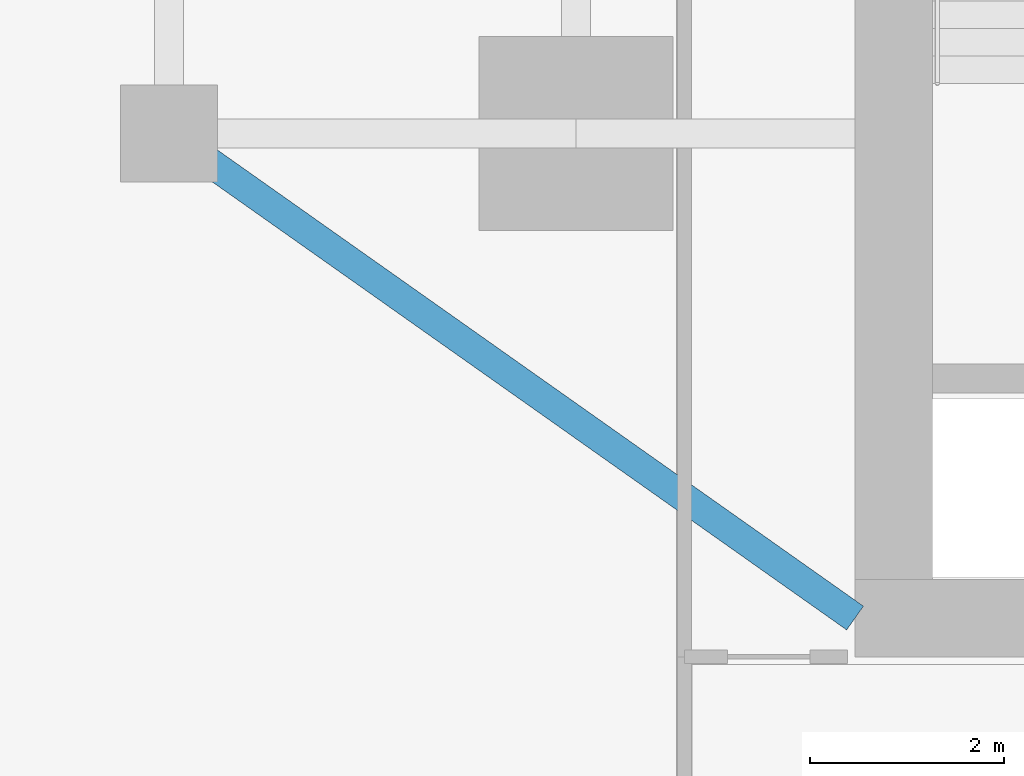
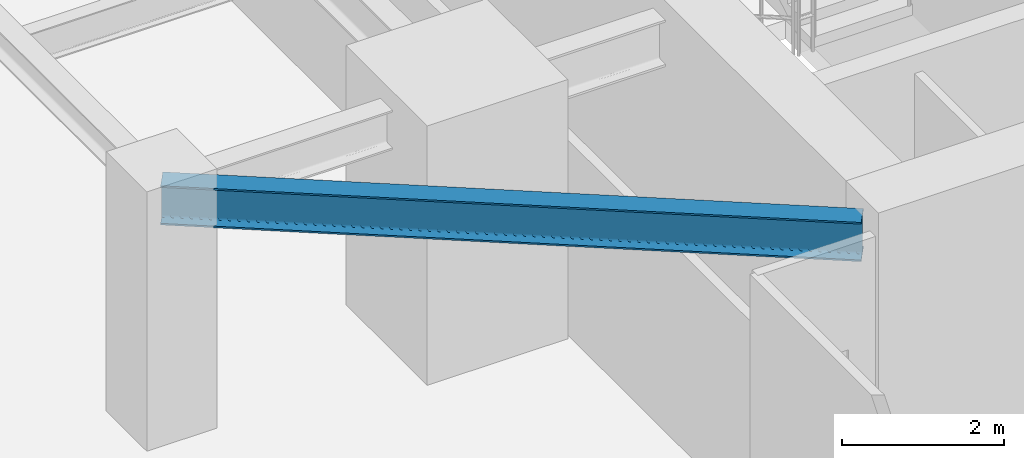
# One storey, part 5 of 28: 1 beam.
"""IFC4 building model written with IfcOpenShell, lengths in metres."""

from ifc_helpers import new_model, si_unit, direction, frame, origin, origin_2d, place, context, subcontext, project, spatial, i_section, extrude, source, transform, mapped, material, material_profile, profile_set, type_object, type_shapes, element, save


model = new_model("IFC4")

# Units and contexts
model_context = context("Model", 3, precision=1e-05, world=origin(), true_north=direction((0.0, 1.0)))
body_context = subcontext(model_context, "Body", "Model", "MODEL_VIEW")
ifc_project = project(units=[si_unit("LENGTHUNIT", "METRE"), si_unit("AREAUNIT", "SQUARE_METRE"), si_unit("VOLUMEUNIT", "CUBIC_METRE"), si_unit("PLANEANGLEUNIT", "RADIAN"), si_unit("MASSUNIT", "GRAM", prefix="KILO")], contexts=[model_context])

# Site, building, storey
site_placement = place(None, origin())
site = spatial("IfcSite", under=ifc_project, at=site_placement, CompositionType="ELEMENT")
building_placement = place(site_placement, origin())
building = spatial("IfcBuilding", under=site, at=building_placement, Name="Krantzveldt Concourse Tower", CompositionType="ELEMENT")
storey_placement = place(building_placement, frame((0.0, 0.0, 117.699951171875)))
storey = spatial("IfcBuildingStorey", under=building, at=storey_placement, Name="L28", CompositionType="ELEMENT", Elevation=117.699951171875)

# Beam
ifc_material = material(Name="Steel S355JR", Category="steel")
ifc_material_profile = material_profile(ifc_material, i_section(OverallWidth=0.300048828125, OverallDepth=0.590087890625, WebThickness=0.012939453125, FlangeThickness=0.02490234375, FilletRadius=0.027099609375, at=origin_2d()), Name="Steel S355JR", Category="steel")
ifc_profile_set = profile_set([ifc_material_profile], Name="Steel S355JR - HEA 600")
beam_type = type_object("IfcBeamType", Name="BM-B-HEA600", PredefinedType="BEAM", material=ifc_profile_set)
shared_shape = source(origin(), body_context, "Body", "SweptSolid", [
    extrude(i_section(OverallWidth=0.300048828125, OverallDepth=0.590087890625, WebThickness=0.012939453125, FlangeThickness=0.02490234375, FilletRadius=0.027099609375, at=origin_2d()), origin(), (0.0, 0.0, 1.0), 8.667724609375),
])
type_shapes(beam_type, [shared_shape])
beam_placement = place(storey_placement, frame((21.0, 15.89990234375, 3.375), z_axis=(0.81684294656, -0.576860122261, 0.0), x_axis=(0.576860122261, 0.81684294656, 0.0)))
element("IfcBeam", 1, at=beam_placement, inside=storey, type_object=beam_type, Name="L28 Tower Girder BR-CSW", PredefinedType="BEAM", context=body_context, shape_type="MappedRepresentation", body=[
    mapped(shared_shape, transform((0.0, 0.0, 0.0), x_axis=(1.0, 0.0, 0.0), y_axis=(0.0, 1.0, 0.0), z_axis=(0.0, 0.0, 1.0), scale=1.0)),
])

save(model, "model.ifc")
